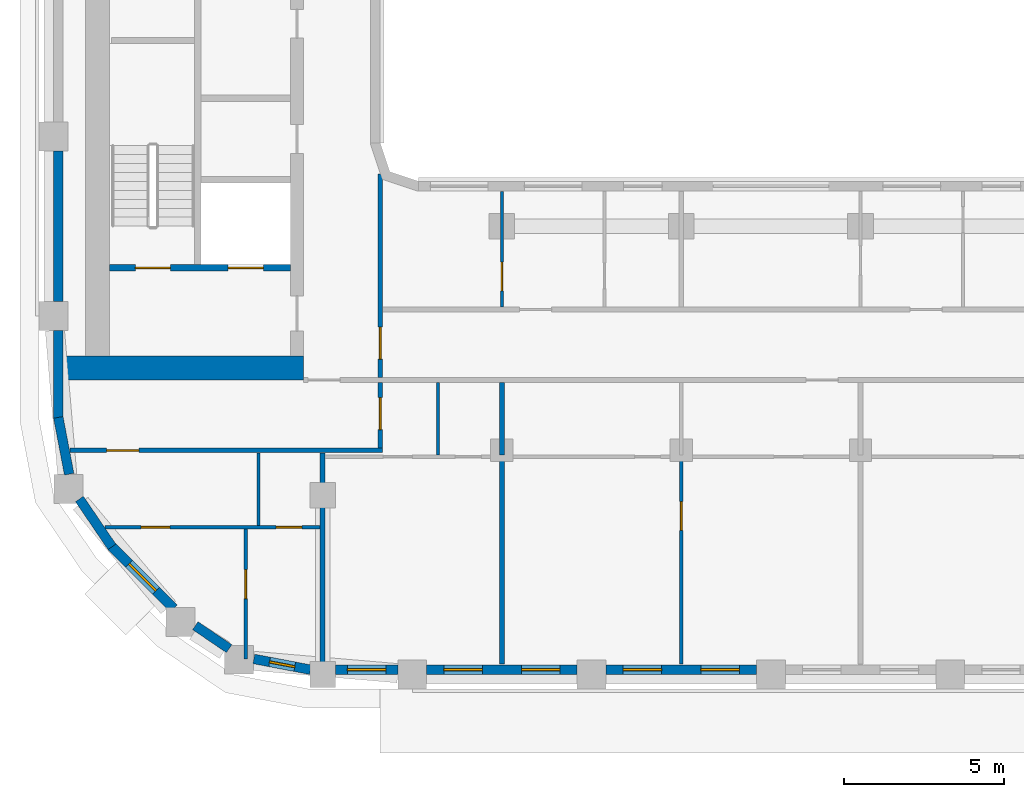
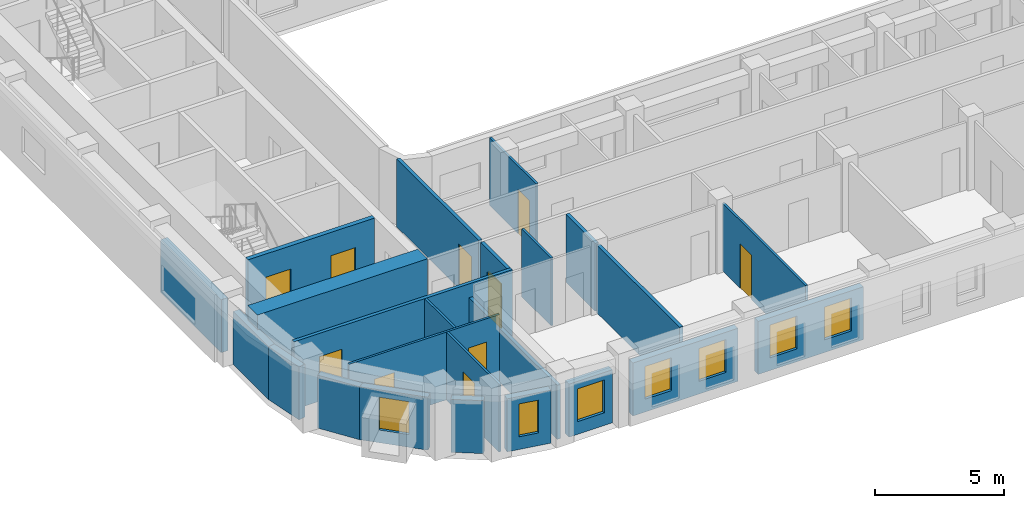
# One storey, part 2 of 21: 24 walls, 10 doors, 7 windows, 17 openings.
"""IFC4 building model written with IfcOpenShell, lengths in metres."""

from ifc_helpers import new_model, si_unit, direction, frame, frame_2d, origin, place, context, subcontext, project, spatial, rectangle, extrude, material, layer, layer_set, type_object, element, fill, save


model = new_model("IFC4")

# Units and contexts
model_context = context("Model", 3, precision=1e-05, world=origin(), true_north=direction((0.0, 1.0)))
body_context = subcontext(model_context, "Body", "Model", "MODEL_VIEW")
ifc_project = project(units=[si_unit("LENGTHUNIT", "METRE"), si_unit("AREAUNIT", "SQUARE_METRE"), si_unit("VOLUMEUNIT", "CUBIC_METRE"), si_unit("PLANEANGLEUNIT", "RADIAN"), si_unit("MASSUNIT", "GRAM", prefix="KILO")], contexts=[model_context])

# Site, building, storey
site_placement = place(None, origin())
site = spatial("IfcSite", under=ifc_project, at=site_placement, CompositionType="ELEMENT")
building_placement = place(site_placement, origin())
building = spatial("IfcBuilding", under=site, at=building_placement, Name="Kiln Ring Residences", CompositionType="ELEMENT")
storey_placement = place(building_placement, frame((0.0, 0.0, 192.39990234375)))
storey = spatial("IfcBuildingStorey", under=building, at=storey_placement, Name="L49", CompositionType="ELEMENT", Elevation=192.39990234375)

# Wall, openings, doors
ifc_material_1 = material(Name="Concrete C40/50", Category="concrete")
ifc_layer_1 = layer(ifc_material_1, 0.199951171875)
ifc_layer_set_1 = layer_set([ifc_layer_1], Name="CORE-WALL-RC200")
wall_type_1 = type_object("IfcWallType", Name="CORE-WALL-RC200", PredefinedType="SHEAR", material=ifc_layer_set_1)
wall_1_placement = place(storey_placement, frame((-17.800048828125, -9.699951171875, 0.0), z_axis=(0.0, 0.0, 1.0), x_axis=(-1.0, 0.0, 0.0)))
wall_1 = element("IfcWall", 1, at=wall_1_placement, inside=storey, type_object=wall_type_1, Name="Core wall west L49 8", PredefinedType="SHEAR", context=body_context, shape_type="SweptSolid", body=[
    extrude(rectangle(XDim=5.64990234375, YDim=0.199951171875, at=frame_2d((2.824951171875, 0.0))), origin(), (0.0, 0.0, 1.0), 3.2001953125),
])
opening_1_placement = place(wall_1_placement, frame((0.85009765625, 0.0, 0.0)))
opening_1 = element("IfcOpeningElement", 2, at=opening_1_placement, cuts=wall_1, Name="Opening L49-CW01", PredefinedType="OPENING", context=body_context, shape_type="SweptSolid", body=[
    extrude(rectangle(XDim=1.10009765625, YDim=2.10009765625, at=frame_2d((0.550048828125, 1.050048828125))), frame((0.0, 0.10986328125, 0.0), z_axis=(0.0, -1.0, 0.0), x_axis=(1.0, 0.0, 0.0)), (0.0, 0.0, 1.0), 0.219970703125),
])
opening_2_placement = place(wall_1_placement, frame((3.75, 0.0, 0.0)))
opening_2 = element("IfcOpeningElement", 3, at=opening_2_placement, cuts=wall_1, Name="Opening L49-CW10", PredefinedType="OPENING", context=body_context, shape_type="SweptSolid", body=[
    extrude(rectangle(XDim=1.10009765625, YDim=2.10009765625, at=frame_2d((0.550048828125, 1.050048828125))), frame((0.0, 0.10986328125, 0.0), z_axis=(0.0, -1.0, 0.0), x_axis=(1.0, 0.0, 0.0)), (0.0, 0.0, 1.0), 0.219970703125),
])
ifc_material_2 = material(Name="Steel door leaf", Category="steel")
door_type_1 = type_object("IfcDoorType", Name="CORE-DOOR-LD", OperationType="DOUBLE_DOOR_SLIDING", PredefinedType="DOOR", material=ifc_material_2)
door_1_placement = place(opening_1_placement, origin())
door_1 = element("IfcDoor", 4, at=door_1_placement, inside=storey, type_object=door_type_1, Name="LD W-SV L49-CW01", OperationType="DOUBLE_DOOR_SLIDING", OverallHeight=2.10009765625, OverallWidth=1.10009765625, PredefinedType="DOOR", context=body_context, shape_type="SweptSolid", body=[
    extrude(rectangle(XDim=1.10009765625, YDim=2.10009765625, at=frame_2d((0.550048828125, 1.050048828125))), frame((0.0, 0.02490234375, 0.0), z_axis=(0.0, -1.0, 0.0), x_axis=(1.0, 0.0, 0.0)), (0.0, 0.0, 1.0), 0.050048828125),
])
fill(opening_1, door_1)
ifc_material_3 = material(Name="Steel door leaf", Category="steel")
door_type_2 = type_object("IfcDoorType", Name="CORE-DOOR-STAIR", OperationType="SINGLE_SWING_LEFT", PredefinedType="DOOR", material=ifc_material_3)
door_2_placement = place(opening_2_placement, origin())
door_2 = element("IfcDoor", 5, at=door_2_placement, inside=storey, type_object=door_type_2, Name="Stair W-STS L49-CW10", OperationType="SINGLE_SWING_LEFT", OverallHeight=2.10009765625, OverallWidth=1.10009765625, PredefinedType="DOOR", context=body_context, shape_type="SweptSolid", body=[
    extrude(rectangle(XDim=1.10009765625, YDim=2.10009765625, at=frame_2d((0.550048828125, 1.050048828125))), frame((0.0, 0.02490234375, 0.0), z_axis=(0.0, -1.0, 0.0), x_axis=(1.0, 0.0, 0.0)), (0.0, 0.0, 1.0), 0.050048828125),
])
fill(opening_2, door_2)

# Wall
ifc_material_4 = material(Name="Concrete C60/75", Category="concrete")
ifc_layer_2 = layer(ifc_material_4, 0.75)
ifc_layer_set_2 = layer_set([ifc_layer_2], Name="CORE-WALL-RC750")
wall_type_2 = type_object("IfcWallType", Name="CORE-WALL-RC750", PredefinedType="SHEAR", material=ifc_layer_set_2)
wall_2_placement = place(storey_placement, frame((-17.39990234375, -12.824951171875, 0.0), z_axis=(0.0, 0.0, 1.0), x_axis=(-1.0, 0.0, 0.0)))
element("IfcWall", 6, at=wall_2_placement, inside=storey, type_object=wall_type_2, Name="Core wall west L49 5", PredefinedType="SHEAR", context=body_context, shape_type="SweptSolid", body=[
    extrude(rectangle(XDim=7.60009765625, YDim=0.75, at=frame_2d((3.800048828125, 0.0))), origin(), (0.0, 0.0, 1.0), 3.2001953125),
])

# Wall, opening, window
ifc_material_5 = material(Name="Brick masonry, dark clay brick", Category="masonry")
ifc_layer_3 = layer(ifc_material_5, 0.300048828125)
ifc_layer_set_3 = layer_set([ifc_layer_3], Name="EW-300 BRICK WALL")
wall_type_3 = type_object("IfcWallType", Name="EW-300 BRICK WALL", PredefinedType="SOLIDWALL", material=ifc_layer_set_3)
wall_3_placement = place(storey_placement, frame((-23.39697265625, -18.390869140625, 0.0), z_axis=(0.0, 0.0, 1.0), x_axis=(0.707106781187, -0.707106781187, 0.0)))
wall_3 = element("IfcWall", 7, at=wall_3_placement, inside=storey, type_object=wall_type_3, Name="Facade wall L49 1", PredefinedType="SOLIDWALL", context=body_context, shape_type="SweptSolid", body=[
    extrude(rectangle(XDim=2.75, YDim=0.300048828125, at=frame_2d((1.375, 0.0))), origin(), (0.0, 0.0, 1.0), 2.5),
])
opening_3_placement = place(wall_3_placement, frame((0.77490234375, 0.0, 0.60009765625)))
opening_3 = element("IfcOpeningElement", 8, at=opening_3_placement, cuts=wall_3, Name="Opening W1", PredefinedType="OPENING", context=body_context, shape_type="SweptSolid", body=[
    extrude(rectangle(XDim=1.199951171875, YDim=1.550048828125, at=frame_2d((0.60009765625, 0.77490234375))), frame((0.0, 0.159912109375, 0.0), z_axis=(0.0, -1.0, 0.0), x_axis=(1.0, 0.0, 0.0)), (0.0, 0.0, 1.0), 0.320068359375),
])
ifc_material_6 = material(Name="Aluminium frame with double glazing", Category="aluminium")
window_type_1 = type_object("IfcWindowType", Name="WINDOW 1200 x 1550", PartitioningType="SINGLE_PANEL", PredefinedType="WINDOW", material=ifc_material_6)
window_1_placement = place(opening_3_placement, origin())
window_1 = element("IfcWindow", 9, at=window_1_placement, inside=storey, type_object=window_type_1, Name="Window L49 1", OverallHeight=1.550048828125, OverallWidth=1.199951171875, PartitioningType="SINGLE_PANEL", PredefinedType="WINDOW", context=body_context, shape_type="SweptSolid", body=[
    extrude(rectangle(XDim=1.199951171875, YDim=1.550048828125, at=frame_2d((0.60009765625, 0.77490234375))), frame((0.0, 0.030029296875, 0.0), z_axis=(0.0, -1.0, 0.0), x_axis=(1.0, 0.0, 0.0)), (0.0, 0.0, 1.0), 0.06005859375),
])
fill(opening_3, window_1)

# Wall
wall_4_placement = place(storey_placement, frame((-20.775146484375, -20.876220703125, 0.0), z_axis=(0.0, 0.0, 1.0), x_axis=(0.827075824828, -0.562090366388, 0.0)))
element("IfcWall", 10, at=wall_4_placement, inside=storey, type_object=wall_type_3, Name="Facade wall L49 2", PredefinedType="SOLIDWALL", context=body_context, shape_type="SweptSolid", body=[
    extrude(rectangle(XDim=1.27685546875, YDim=0.300048828125, at=frame_2d((0.638427734375, 0.0))), origin(), (0.0, 0.0, 1.0), 2.5),
])

# Wall, opening, window
wall_5_placement = place(storey_placement, frame((-18.946044921875, -21.914306640625, 0.0), z_axis=(0.0, 0.0, 1.0), x_axis=(0.98230529033, -0.187286722942, 0.0)))
wall_5 = element("IfcWall", 11, at=wall_5_placement, inside=storey, type_object=wall_type_3, Name="Facade wall L49 3", PredefinedType="SOLIDWALL", context=body_context, shape_type="SweptSolid", body=[
    extrude(rectangle(XDim=1.798828125, YDim=0.300048828125, at=frame_2d((0.8994140625, 0.0))), origin(), (0.0, 0.0, 1.0), 2.5),
])
opening_4_placement = place(wall_5_placement, frame((0.49951171875, 0.0, 0.60009765625)))
opening_4 = element("IfcOpeningElement", 12, at=opening_4_placement, cuts=wall_5, Name="Opening W5", PredefinedType="OPENING", context=body_context, shape_type="SweptSolid", body=[
    extrude(rectangle(XDim=0.800048828125, YDim=1.550048828125, at=frame_2d((0.39990234375, 0.77490234375))), frame((0.0, 0.159912109375, 0.0), z_axis=(0.0, -1.0, 0.0), x_axis=(1.0, 0.0, 0.0)), (0.0, 0.0, 1.0), 0.320068359375),
])
ifc_material_7 = material(Name="Aluminium frame with double glazing", Category="aluminium")
window_type_2 = type_object("IfcWindowType", Name="WINDOW 800 x 1550", PartitioningType="SINGLE_PANEL", PredefinedType="WINDOW", material=ifc_material_7)
window_2_placement = place(opening_4_placement, origin())
window_2 = element("IfcWindow", 13, at=window_2_placement, inside=storey, type_object=window_type_2, Name="Window L49 2", OverallHeight=1.550048828125, OverallWidth=0.800048828125, PartitioningType="SINGLE_PANEL", PredefinedType="WINDOW", context=body_context, shape_type="SweptSolid", body=[
    extrude(rectangle(XDim=0.800048828125, YDim=1.550048828125, at=frame_2d((0.39990234375, 0.77490234375))), frame((0.0, 0.030029296875, 0.0), z_axis=(0.0, -1.0, 0.0), x_axis=(1.0, 0.0, 0.0)), (0.0, 0.0, 1.0), 0.06005859375),
])
fill(opening_4, window_2)

wall_6_placement = place(storey_placement, frame((-16.39990234375, -22.25, 0.0), z_axis=(0.0, 0.0, 1.0), x_axis=(1.0, 0.0, 0.0)))
wall_6 = element("IfcWall", 14, at=wall_6_placement, inside=storey, type_object=wall_type_3, Name="Facade wall L49 4", PredefinedType="SOLIDWALL", context=body_context, shape_type="SweptSolid", body=[
    extrude(rectangle(XDim=1.949951171875, YDim=0.300048828125, at=frame_2d((0.97509765625, 0.0))), origin(), (0.0, 0.0, 1.0), 2.5),
])
opening_5_placement = place(wall_6_placement, frame((0.375, 0.0, 0.60009765625)))
opening_5 = element("IfcOpeningElement", 15, at=opening_5_placement, cuts=wall_6, Name="Opening W1", PredefinedType="OPENING", context=body_context, shape_type="SweptSolid", body=[
    extrude(rectangle(XDim=1.199951171875, YDim=1.550048828125, at=frame_2d((0.60009765625, 0.77490234375))), frame((0.0, 0.159912109375, 0.0), z_axis=(0.0, -1.0, 0.0), x_axis=(1.0, 0.0, 0.0)), (0.0, 0.0, 1.0), 0.320068359375),
])
window_3_placement = place(opening_5_placement, origin())
window_3 = element("IfcWindow", 16, at=window_3_placement, inside=storey, type_object=window_type_1, Name="Window L49 3", OverallHeight=1.550048828125, OverallWidth=1.199951171875, PartitioningType="SINGLE_PANEL", PredefinedType="WINDOW", context=body_context, shape_type="SweptSolid", body=[
    extrude(rectangle(XDim=1.199951171875, YDim=1.550048828125, at=frame_2d((0.60009765625, 0.77490234375))), frame((0.0, 0.030029296875, 0.0), z_axis=(0.0, -1.0, 0.0), x_axis=(1.0, 0.0, 0.0)), (0.0, 0.0, 1.0), 0.06005859375),
])
fill(opening_5, window_3)

# Wall, openings, windows
wall_7_placement = place(storey_placement, frame((-13.550048828125, -22.25, 0.0), z_axis=(0.0, 0.0, 1.0), x_axis=(1.0, 0.0, 0.0)))
wall_7 = element("IfcWall", 17, at=wall_7_placement, inside=storey, type_object=wall_type_3, Name="Facade wall L49 5", PredefinedType="SOLIDWALL", context=body_context, shape_type="SweptSolid", body=[
    extrude(rectangle(XDim=4.699951171875, YDim=0.300048828125, at=frame_2d((2.35009765625, 0.0))), origin(), (0.0, 0.0, 1.0), 2.5),
])
opening_6_placement = place(wall_7_placement, frame((0.53759765625, 0.0, 0.60009765625)))
opening_6 = element("IfcOpeningElement", 18, at=opening_6_placement, cuts=wall_7, Name="Opening W1", PredefinedType="OPENING", context=body_context, shape_type="SweptSolid", body=[
    extrude(rectangle(XDim=1.199951171875, YDim=1.550048828125, at=frame_2d((0.60009765625, 0.77490234375))), frame((0.0, 0.159912109375, 0.0), z_axis=(0.0, -1.0, 0.0), x_axis=(1.0, 0.0, 0.0)), (0.0, 0.0, 1.0), 0.320068359375),
])
opening_7_placement = place(wall_7_placement, frame((2.96240234375, 0.0, 0.60009765625)))
opening_7 = element("IfcOpeningElement", 19, at=opening_7_placement, cuts=wall_7, Name="Opening W1", PredefinedType="OPENING", context=body_context, shape_type="SweptSolid", body=[
    extrude(rectangle(XDim=1.199951171875, YDim=1.550048828125, at=frame_2d((0.60009765625, 0.77490234375))), frame((0.0, 0.159912109375, 0.0), z_axis=(0.0, -1.0, 0.0), x_axis=(1.0, 0.0, 0.0)), (0.0, 0.0, 1.0), 0.320068359375),
])
window_4_placement = place(opening_6_placement, origin())
window_4 = element("IfcWindow", 20, at=window_4_placement, inside=storey, type_object=window_type_1, Name="Window L49 4", OverallHeight=1.550048828125, OverallWidth=1.199951171875, PartitioningType="SINGLE_PANEL", PredefinedType="WINDOW", context=body_context, shape_type="SweptSolid", body=[
    extrude(rectangle(XDim=1.199951171875, YDim=1.550048828125, at=frame_2d((0.60009765625, 0.77490234375))), frame((0.0, 0.030029296875, 0.0), z_axis=(0.0, -1.0, 0.0), x_axis=(1.0, 0.0, 0.0)), (0.0, 0.0, 1.0), 0.06005859375),
])
fill(opening_6, window_4)
window_5_placement = place(opening_7_placement, origin())
window_5 = element("IfcWindow", 21, at=window_5_placement, inside=storey, type_object=window_type_1, Name="Window L49 5", OverallHeight=1.550048828125, OverallWidth=1.199951171875, PartitioningType="SINGLE_PANEL", PredefinedType="WINDOW", context=body_context, shape_type="SweptSolid", body=[
    extrude(rectangle(XDim=1.199951171875, YDim=1.550048828125, at=frame_2d((0.60009765625, 0.77490234375))), frame((0.0, 0.030029296875, 0.0), z_axis=(0.0, -1.0, 0.0), x_axis=(1.0, 0.0, 0.0)), (0.0, 0.0, 1.0), 0.06005859375),
])
fill(opening_7, window_5)

wall_8_placement = place(storey_placement, frame((-7.949951171875, -22.25, 0.0), z_axis=(0.0, 0.0, 1.0), x_axis=(1.0, 0.0, 0.0)))
wall_8 = element("IfcWall", 22, at=wall_8_placement, inside=storey, type_object=wall_type_3, Name="Facade wall L49 6", PredefinedType="SOLIDWALL", context=body_context, shape_type="SweptSolid", body=[
    extrude(rectangle(XDim=4.699951171875, YDim=0.300048828125, at=frame_2d((2.35009765625, 0.0))), origin(), (0.0, 0.0, 1.0), 2.5),
])
opening_8_placement = place(wall_8_placement, frame((0.53759765625, 0.0, 0.60009765625)))
opening_8 = element("IfcOpeningElement", 23, at=opening_8_placement, cuts=wall_8, Name="Opening W1", PredefinedType="OPENING", context=body_context, shape_type="SweptSolid", body=[
    extrude(rectangle(XDim=1.199951171875, YDim=1.550048828125, at=frame_2d((0.60009765625, 0.77490234375))), frame((0.0, 0.159912109375, 0.0), z_axis=(0.0, -1.0, 0.0), x_axis=(1.0, 0.0, 0.0)), (0.0, 0.0, 1.0), 0.320068359375),
])
opening_9_placement = place(wall_8_placement, frame((2.96240234375, 0.0, 0.60009765625)))
opening_9 = element("IfcOpeningElement", 24, at=opening_9_placement, cuts=wall_8, Name="Opening W1", PredefinedType="OPENING", context=body_context, shape_type="SweptSolid", body=[
    extrude(rectangle(XDim=1.199951171875, YDim=1.550048828125, at=frame_2d((0.60009765625, 0.77490234375))), frame((0.0, 0.159912109375, 0.0), z_axis=(0.0, -1.0, 0.0), x_axis=(1.0, 0.0, 0.0)), (0.0, 0.0, 1.0), 0.320068359375),
])
window_6_placement = place(opening_8_placement, origin())
window_6 = element("IfcWindow", 25, at=window_6_placement, inside=storey, type_object=window_type_1, Name="Window L49 6", OverallHeight=1.550048828125, OverallWidth=1.199951171875, PartitioningType="SINGLE_PANEL", PredefinedType="WINDOW", context=body_context, shape_type="SweptSolid", body=[
    extrude(rectangle(XDim=1.199951171875, YDim=1.550048828125, at=frame_2d((0.60009765625, 0.77490234375))), frame((0.0, 0.030029296875, 0.0), z_axis=(0.0, -1.0, 0.0), x_axis=(1.0, 0.0, 0.0)), (0.0, 0.0, 1.0), 0.06005859375),
])
fill(opening_8, window_6)
window_7_placement = place(opening_9_placement, origin())
window_7 = element("IfcWindow", 26, at=window_7_placement, inside=storey, type_object=window_type_1, Name="Window L49 7", OverallHeight=1.550048828125, OverallWidth=1.199951171875, PartitioningType="SINGLE_PANEL", PredefinedType="WINDOW", context=body_context, shape_type="SweptSolid", body=[
    extrude(rectangle(XDim=1.199951171875, YDim=1.550048828125, at=frame_2d((0.60009765625, 0.77490234375))), frame((0.0, 0.030029296875, 0.0), z_axis=(0.0, -1.0, 0.0), x_axis=(1.0, 0.0, 0.0)), (0.0, 0.0, 1.0), 0.06005859375),
])
fill(opening_9, window_7)

# Walls
wall_9_placement = place(storey_placement, frame((-25.050048828125, -6.050048828125, 0.0), z_axis=(0.0, 0.0, 1.0), x_axis=(0.0, -1.0, 0.0)))
element("IfcWall", 27, at=wall_9_placement, inside=storey, type_object=wall_type_3, Name="Facade wall L49 43", PredefinedType="SOLIDWALL", context=body_context, shape_type="SweptSolid", body=[
    extrude(rectangle(XDim=4.699951171875, YDim=0.300048828125, at=frame_2d((2.35009765625, 0.0))), origin(), (0.0, 0.0, 1.0), 2.5),
])
wall_10_placement = place(storey_placement, frame((-25.050048828125, -11.64990234375, 0.0), z_axis=(0.0, 0.0, 1.0), x_axis=(0.0, -1.0, 0.0)))
element("IfcWall", 28, at=wall_10_placement, inside=storey, type_object=wall_type_3, Name="Facade wall L49 44", PredefinedType="SOLIDWALL", context=body_context, shape_type="SweptSolid", body=[
    extrude(rectangle(XDim=2.75, YDim=0.300048828125, at=frame_2d((1.375, 0.0))), origin(), (0.0, 0.0, 1.0), 2.5),
])
for number, where, z_axis, x_axis, name in (
    (29, (-25.052734375, -14.371826171875, 0.0), (0.0, 0.0, 1.0), (0.187348135549, -0.982293579388, 0.0), "Facade wall L49 45"),
    (30, (-24.39404296875, -16.9189453125, 0.0), (0.0, 0.0, 1.0), (0.562040093569, -0.827109988588, 0.0), "Facade wall L49 46"),
):
    element("IfcWall", number, at=place(storey_placement, frame(where, z_axis=z_axis, x_axis=x_axis)), inside=storey, type_object=wall_type_3, Name=name, PredefinedType="SOLIDWALL", context=body_context, shape_type="SweptSolid", body=[
        extrude(rectangle(XDim=1.80615234375, YDim=0.300048828125, at=frame_2d((0.903076171875, 0.0))), origin(), (0.0, 0.0, 1.0), 2.5),
    ])

# Wall, openings, doors
ifc_material_8 = material(Name="Gypsum board on steel studs", Category="steel")
ifc_layer_4 = layer(ifc_material_8, 0.10009765625)
ifc_layer_set_4 = layer_set([ifc_layer_4], Name="PARTITION-100")
wall_type_4 = type_object("IfcWallType", Name="PARTITION-100", PredefinedType="PARTITIONING", material=ifc_layer_set_4)
wall_11_placement = place(storey_placement, frame((-23.593994140625, -17.800048828125, 0.0), z_axis=(0.0, 0.0, 1.0), x_axis=(1.0, 0.0, 0.0)))
wall_11 = element("IfcWall", 31, at=wall_11_placement, inside=storey, type_object=wall_type_4, Name="Partition 001", PredefinedType="PARTITIONING", context=body_context, shape_type="SweptSolid", body=[
    extrude(rectangle(XDim=6.718994140625, YDim=0.10009765625, at=frame_2d((3.359375, 0.0))), origin(), (0.0, 0.0, 1.0), 3.2001953125),
])
opening_10_placement = place(wall_11_placement, frame((5.343994140625, 0.0, 0.0)))
opening_10 = element("IfcOpeningElement", 32, at=opening_10_placement, cuts=wall_11, Name="Opening L49-D066", PredefinedType="OPENING", context=body_context, shape_type="SweptSolid", body=[
    extrude(rectangle(XDim=0.800048828125, YDim=2.10009765625, at=frame_2d((0.39990234375, 1.050048828125))), frame((0.0, 0.06005859375, 0.0), z_axis=(0.0, -1.0, 0.0), x_axis=(1.0, 0.0, 0.0)), (0.0, 0.0, 1.0), 0.1201171875),
])
opening_11_placement = place(wall_11_placement, frame((1.1259765625, 0.0, 0.0)))
opening_11 = element("IfcOpeningElement", 33, at=opening_11_placement, cuts=wall_11, Name="Opening L49-D067", PredefinedType="OPENING", context=body_context, shape_type="SweptSolid", body=[
    extrude(rectangle(XDim=0.89990234375, YDim=2.10009765625, at=frame_2d((0.449951171875, 1.050048828125))), frame((0.0, 0.06005859375, 0.0), z_axis=(0.0, -1.0, 0.0), x_axis=(1.0, 0.0, 0.0)), (0.0, 0.0, 1.0), 0.1201171875),
])
ifc_material_9 = material(Name="Timber door leaf", Category="wood")
door_type_3 = type_object("IfcDoorType", Name="FLAT-DOOR-800-PL", OperationType="SINGLE_SWING_LEFT", PredefinedType="DOOR", material=ifc_material_9)
door_3_placement = place(opening_10_placement, origin())
door_3 = element("IfcDoor", 34, at=door_3_placement, inside=storey, type_object=door_type_3, Name="Door L49-D066", OperationType="SINGLE_SWING_RIGHT", OverallHeight=2.10009765625, OverallWidth=0.800048828125, PredefinedType="DOOR", context=body_context, shape_type="SweptSolid", body=[
    extrude(rectangle(XDim=0.800048828125, YDim=2.10009765625, at=frame_2d((0.39990234375, 1.050048828125))), frame((0.0, 0.02490234375, 0.0), z_axis=(0.0, -1.0, 0.0), x_axis=(1.0, 0.0, 0.0)), (0.0, 0.0, 1.0), 0.050048828125),
])
fill(opening_10, door_3)
ifc_material_10 = material(Name="Timber door leaf", Category="wood")
door_type_4 = type_object("IfcDoorType", Name="FLAT-DOOR-900-PL", OperationType="SINGLE_SWING_LEFT", PredefinedType="DOOR", material=ifc_material_10)
door_4_placement = place(opening_11_placement, origin())
door_4 = element("IfcDoor", 35, at=door_4_placement, inside=storey, type_object=door_type_4, Name="Door L49-D067", OperationType="SINGLE_SWING_LEFT", OverallHeight=2.10009765625, OverallWidth=0.89990234375, PredefinedType="DOOR", context=body_context, shape_type="SweptSolid", body=[
    extrude(rectangle(XDim=0.89990234375, YDim=2.10009765625, at=frame_2d((0.449951171875, 1.050048828125))), frame((0.0, 0.02490234375, 0.0), z_axis=(0.0, -1.0, 0.0), x_axis=(1.0, 0.0, 0.0)), (0.0, 0.0, 1.0), 0.050048828125),
])
fill(opening_11, door_4)

# Wall, opening, door
wall_12_placement = place(storey_placement, frame((-19.199951171875, -21.919921875, 0.0), z_axis=(0.0, 0.0, 1.0), x_axis=(0.0, 1.0, 0.0)))
wall_12 = element("IfcWall", 36, at=wall_12_placement, inside=storey, type_object=wall_type_4, Name="Partition 014", PredefinedType="PARTITIONING", context=body_context, shape_type="SweptSolid", body=[
    extrude(rectangle(XDim=4.06982421875, YDim=0.10009765625, at=frame_2d((2.034912109375, 0.0))), origin(), (0.0, 0.0, 1.0), 3.2001953125),
])
opening_12_placement = place(wall_12_placement, frame((1.89306640625, 0.0, 0.0)))
opening_12 = element("IfcOpeningElement", 37, at=opening_12_placement, cuts=wall_12, Name="Opening L49-D068", PredefinedType="OPENING", context=body_context, shape_type="SweptSolid", body=[
    extrude(rectangle(XDim=0.89990234375, YDim=2.10009765625, at=frame_2d((0.449951171875, 1.050048828125))), frame((0.0, 0.06005859375, 0.0), z_axis=(0.0, -1.0, 0.0), x_axis=(1.0, 0.0, 0.0)), (0.0, 0.0, 1.0), 0.1201171875),
])
door_5_placement = place(opening_12_placement, origin())
door_5 = element("IfcDoor", 38, at=door_5_placement, inside=storey, type_object=door_type_4, Name="Door L49-D068", OperationType="SINGLE_SWING_RIGHT", OverallHeight=2.10009765625, OverallWidth=0.89990234375, PredefinedType="DOOR", context=body_context, shape_type="SweptSolid", body=[
    extrude(rectangle(XDim=0.89990234375, YDim=2.10009765625, at=frame_2d((0.449951171875, 1.050048828125))), frame((0.0, 0.02490234375, 0.0), z_axis=(0.0, -1.0, 0.0), x_axis=(1.0, 0.0, 0.0)), (0.0, 0.0, 1.0), 0.050048828125),
])
fill(opening_12, door_5)

# Walls
wall_13_placement = place(storey_placement, frame((-18.800048828125, -17.75, 0.0), z_axis=(0.0, 0.0, 1.0), x_axis=(0.0, 1.0, 0.0)))
element("IfcWall", 39, at=wall_13_placement, inside=storey, type_object=wall_type_4, Name="Partition 016", PredefinedType="PARTITIONING", context=body_context, shape_type="SweptSolid", body=[
    extrude(rectangle(XDim=2.27490234375, YDim=0.10009765625, at=frame_2d((1.137451171875, 0.0))), origin(), (0.0, 0.0, 1.0), 3.2001953125),
])
wall_14_placement = place(storey_placement, frame((-13.199951171875, -15.550048828125, 0.0), z_axis=(0.0, 0.0, 1.0), x_axis=(0.0, 1.0, 0.0)))
element("IfcWall", 40, at=wall_14_placement, inside=storey, type_object=wall_type_4, Name="Partition 023", PredefinedType="PARTITIONING", context=body_context, shape_type="SweptSolid", body=[
    extrude(rectangle(XDim=2.275146484375, YDim=0.10009765625, at=frame_2d((1.1376953125, 0.0))), origin(), (0.0, 0.0, 1.0), 3.2001953125),
])

# Wall, opening, door
wall_15_placement = place(storey_placement, frame((-11.199951171875, -10.925048828125, 0.0), z_axis=(0.0, 0.0, 1.0), x_axis=(0.0, 1.0, 0.0)))
wall_15 = element("IfcWall", 41, at=wall_15_placement, inside=storey, type_object=wall_type_4, Name="Partition 024", PredefinedType="PARTITIONING", context=body_context, shape_type="SweptSolid", body=[
    extrude(rectangle(XDim=3.60498046875, YDim=0.10009765625, at=frame_2d((1.802490234375, 0.0))), origin(), (0.0, 0.0, 1.0), 3.2001953125),
])
opening_13_placement = place(wall_15_placement, frame((0.5048828125, 0.0, 0.0)))
opening_13 = element("IfcOpeningElement", 42, at=opening_13_placement, cuts=wall_15, Name="Opening L49-D040", PredefinedType="OPENING", context=body_context, shape_type="SweptSolid", body=[
    extrude(rectangle(XDim=0.89990234375, YDim=2.10009765625, at=frame_2d((0.449951171875, 1.050048828125))), frame((0.0, 0.06005859375, 0.0), z_axis=(0.0, -1.0, 0.0), x_axis=(1.0, 0.0, 0.0)), (0.0, 0.0, 1.0), 0.1201171875),
])
door_6_placement = place(opening_13_placement, origin())
door_6 = element("IfcDoor", 43, at=door_6_placement, inside=storey, type_object=door_type_4, Name="Door L49-D040", OperationType="SINGLE_SWING_RIGHT", OverallHeight=2.10009765625, OverallWidth=0.89990234375, PredefinedType="DOOR", context=body_context, shape_type="SweptSolid", body=[
    extrude(rectangle(XDim=0.89990234375, YDim=2.10009765625, at=frame_2d((0.449951171875, 1.050048828125))), frame((0.0, 0.02490234375, 0.0), z_axis=(0.0, -1.0, 0.0), x_axis=(1.0, 0.0, 0.0)), (0.0, 0.0, 1.0), 0.050048828125),
])
fill(opening_13, door_6)

wall_16_placement = place(storey_placement, frame((-5.60009765625, -22.080078125, 0.0), z_axis=(0.0, 0.0, 1.0), x_axis=(0.0, 1.0, 0.0)))
wall_16 = element("IfcWall", 44, at=wall_16_placement, inside=storey, type_object=wall_type_4, Name="Partition 031", PredefinedType="PARTITIONING", context=body_context, shape_type="SweptSolid", body=[
    extrude(rectangle(XDim=6.43017578125, YDim=0.10009765625, at=frame_2d((3.215087890625, 0.0))), origin(), (0.0, 0.0, 1.0), 3.2001953125),
])
opening_14_placement = place(wall_16_placement, frame((4.179931640625, 0.0, 0.0)))
opening_14 = element("IfcOpeningElement", 45, at=opening_14_placement, cuts=wall_16, Name="Opening L49-D053", PredefinedType="OPENING", context=body_context, shape_type="SweptSolid", body=[
    extrude(rectangle(XDim=0.89990234375, YDim=2.10009765625, at=frame_2d((0.449951171875, 1.050048828125))), frame((0.0, 0.06005859375, 0.0), z_axis=(0.0, -1.0, 0.0), x_axis=(1.0, 0.0, 0.0)), (0.0, 0.0, 1.0), 0.1201171875),
])
door_7_placement = place(opening_14_placement, origin())
door_7 = element("IfcDoor", 46, at=door_7_placement, inside=storey, type_object=door_type_4, Name="Door L49-D053", OperationType="SINGLE_SWING_LEFT", OverallHeight=2.10009765625, OverallWidth=0.89990234375, PredefinedType="DOOR", context=body_context, shape_type="SweptSolid", body=[
    extrude(rectangle(XDim=0.89990234375, YDim=2.10009765625, at=frame_2d((0.449951171875, 1.050048828125))), frame((0.0, 0.02490234375, 0.0), z_axis=(0.0, -1.0, 0.0), x_axis=(1.0, 0.0, 0.0)), (0.0, 0.0, 1.0), 0.050048828125),
])
fill(opening_14, door_7)

ifc_material_11 = material(Name="Brick masonry partition", Category="masonry")
ifc_layer_5 = layer(ifc_material_11, 0.14990234375)
ifc_layer_set_5 = layer_set([ifc_layer_5], Name="PARTITION-150-ei60")
wall_type_5 = type_object("IfcWallType", Name="PARTITION-150-ei60", PredefinedType="PARTITIONING", material=ifc_layer_set_5)
wall_17_placement = place(storey_placement, frame((-24.683837890625, -15.39990234375, 0.0), z_axis=(0.0, 0.0, 1.0), x_axis=(1.0, 0.0, 0.0)))
wall_17 = element("IfcWall", 47, at=wall_17_placement, inside=storey, type_object=wall_type_5, Name="Partition 003", PredefinedType="PARTITIONING", context=body_context, shape_type="SweptSolid", body=[
    extrude(rectangle(XDim=9.7587890625, YDim=0.14990234375, at=frame_2d((4.87939453125, 0.0))), origin(), (0.0, 0.0, 1.0), 3.2001953125),
])
opening_15_placement = place(wall_17_placement, frame((1.142822265625, 0.0, 0.0)))
opening_15 = element("IfcOpeningElement", 48, at=opening_15_placement, cuts=wall_17, Name="Opening L49-D065", PredefinedType="OPENING", context=body_context, shape_type="SweptSolid", body=[
    extrude(rectangle(XDim=1.0, YDim=2.10009765625, at=frame_2d((0.5, 1.050048828125))), frame((0.0, 0.0849609375, 0.0), z_axis=(0.0, -1.0, 0.0), x_axis=(1.0, 0.0, 0.0)), (0.0, 0.0, 1.0), 0.169921875),
])
ifc_material_12 = material(Name="Steel faced fire door leaf", Category="steel")
door_type_5 = type_object("IfcDoorType", Name="FLAT-DOOR-1000-FR", OperationType="SINGLE_SWING_LEFT", PredefinedType="DOOR", material=ifc_material_12)
door_8_placement = place(opening_15_placement, origin())
door_8 = element("IfcDoor", 49, at=door_8_placement, inside=storey, type_object=door_type_5, Name="Door L49-D065", OperationType="SINGLE_SWING_LEFT", OverallHeight=2.10009765625, OverallWidth=1.0, PredefinedType="DOOR", context=body_context, shape_type="SweptSolid", body=[
    extrude(rectangle(XDim=1.0, YDim=2.10009765625, at=frame_2d((0.5, 1.050048828125))), frame((0.0, 0.02490234375, 0.0), z_axis=(0.0, -1.0, 0.0), x_axis=(1.0, 0.0, 0.0)), (0.0, 0.0, 1.0), 0.050048828125),
])
fill(opening_15, door_8)

# Wall
wall_18_placement = place(storey_placement, frame((-16.800048828125, -22.31005859375, 0.0), z_axis=(0.0, 0.0, 1.0), x_axis=(0.0, 1.0, 0.0)))
element("IfcWall", 50, at=wall_18_placement, inside=storey, type_object=wall_type_5, Name="Partition 017", PredefinedType="PARTITIONING", context=body_context, shape_type="SweptSolid", body=[
    extrude(rectangle(XDim=6.8349609375, YDim=0.14990234375, at=frame_2d((3.41748046875, 0.0))), origin(), (0.0, 0.0, 1.0), 2.550048828125),
])

# Wall, opening, door
wall_19_placement = place(storey_placement, frame((-15.0, -15.324951171875, 0.0), z_axis=(0.0, 0.0, 1.0), x_axis=(0.0, 1.0, 0.0)))
wall_19 = element("IfcWall", 51, at=wall_19_placement, inside=storey, type_object=wall_type_5, Name="Partition 019", PredefinedType="PARTITIONING", context=body_context, shape_type="SweptSolid", body=[
    extrude(rectangle(XDim=2.050048828125, YDim=0.14990234375, at=frame_2d((1.02490234375, 0.0))), origin(), (0.0, 0.0, 1.0), 3.2001953125),
])
opening_16_placement = place(wall_19_placement, frame((0.573974609375, 0.0, 0.0)))
opening_16 = element("IfcOpeningElement", 52, at=opening_16_placement, cuts=wall_19, Name="Opening L49-D047", PredefinedType="OPENING", context=body_context, shape_type="SweptSolid", body=[
    extrude(rectangle(XDim=1.0, YDim=2.10009765625, at=frame_2d((0.5, 1.050048828125))), frame((0.0, 0.0849609375, 0.0), z_axis=(0.0, -1.0, 0.0), x_axis=(1.0, 0.0, 0.0)), (0.0, 0.0, 1.0), 0.169921875),
])
door_9_placement = place(opening_16_placement, origin())
door_9 = element("IfcDoor", 53, at=door_9_placement, inside=storey, type_object=door_type_5, Name="Door L49-D047", OperationType="SINGLE_SWING_LEFT", OverallHeight=2.10009765625, OverallWidth=1.0, PredefinedType="DOOR", context=body_context, shape_type="SweptSolid", body=[
    extrude(rectangle(XDim=1.0, YDim=2.10009765625, at=frame_2d((0.5, 1.050048828125))), frame((0.0, 0.02490234375, 0.0), z_axis=(0.0, -1.0, 0.0), x_axis=(1.0, 0.0, 0.0)), (0.0, 0.0, 1.0), 0.050048828125),
])
fill(opening_16, door_9)

wall_20_placement = place(storey_placement, frame((-15.0, -13.125, 0.0), z_axis=(0.0, 0.0, 1.0), x_axis=(0.0, 1.0, 0.0)))
wall_20 = element("IfcWall", 54, at=wall_20_placement, inside=storey, type_object=wall_type_5, Name="Partition 020", PredefinedType="PARTITIONING", context=body_context, shape_type="SweptSolid", body=[
    extrude(rectangle(XDim=6.356201171875, YDim=0.14990234375, at=frame_2d((3.17822265625, 0.0))), origin(), (0.0, 0.0, 1.0), 3.2001953125),
])
opening_17_placement = place(wall_20_placement, frame((0.574951171875, 0.0, 0.0)))
opening_17 = element("IfcOpeningElement", 55, at=opening_17_placement, cuts=wall_20, Name="Opening L49-D005", PredefinedType="OPENING", context=body_context, shape_type="SweptSolid", body=[
    extrude(rectangle(XDim=1.0, YDim=2.10009765625, at=frame_2d((0.5, 1.050048828125))), frame((0.0, 0.0849609375, 0.0), z_axis=(0.0, -1.0, 0.0), x_axis=(1.0, 0.0, 0.0)), (0.0, 0.0, 1.0), 0.169921875),
])
door_10_placement = place(opening_17_placement, origin())
door_10 = element("IfcDoor", 56, at=door_10_placement, inside=storey, type_object=door_type_5, Name="Door L49-D005", OperationType="SINGLE_SWING_RIGHT", OverallHeight=2.10009765625, OverallWidth=1.0, PredefinedType="DOOR", context=body_context, shape_type="SweptSolid", body=[
    extrude(rectangle(XDim=1.0, YDim=2.10009765625, at=frame_2d((0.5, 1.050048828125))), frame((0.0, 0.02490234375, 0.0), z_axis=(0.0, -1.0, 0.0), x_axis=(1.0, 0.0, 0.0)), (0.0, 0.0, 1.0), 0.050048828125),
])
fill(opening_17, door_10)

# Walls
wall_21_placement = place(storey_placement, frame((-11.199951171875, -22.080078125, 0.0), z_axis=(0.0, 0.0, 1.0), x_axis=(0.0, 1.0, 0.0)))
element("IfcWall", 57, at=wall_21_placement, inside=storey, type_object=wall_type_5, Name="Partition 028", PredefinedType="PARTITIONING", context=body_context, shape_type="SweptSolid", body=[
    extrude(rectangle(XDim=6.43017578125, YDim=0.14990234375, at=frame_2d((3.215087890625, 0.0))), origin(), (0.0, 0.0, 1.0), 3.2001953125),
])
wall_22_placement = place(storey_placement, frame((-11.199951171875, -15.550048828125, 0.0), z_axis=(0.0, 0.0, 1.0), x_axis=(0.0, 1.0, 0.0)))
element("IfcWall", 58, at=wall_22_placement, inside=storey, type_object=wall_type_5, Name="Partition 029", PredefinedType="PARTITIONING", context=body_context, shape_type="SweptSolid", body=[
    extrude(rectangle(XDim=2.275146484375, YDim=0.14990234375, at=frame_2d((1.1376953125, 0.0))), origin(), (0.0, 0.0, 1.0), 3.2001953125),
])

save(model, "model.ifc")
